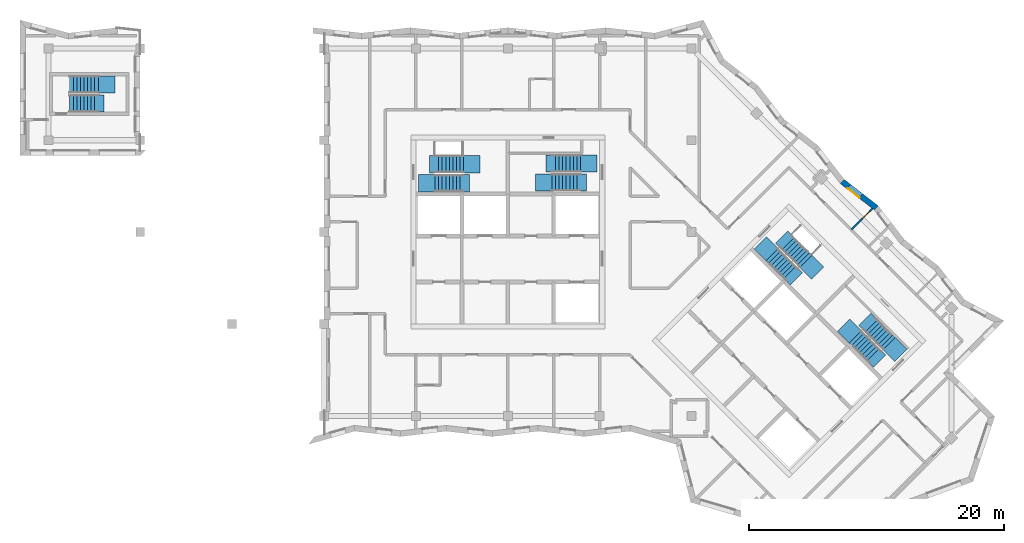
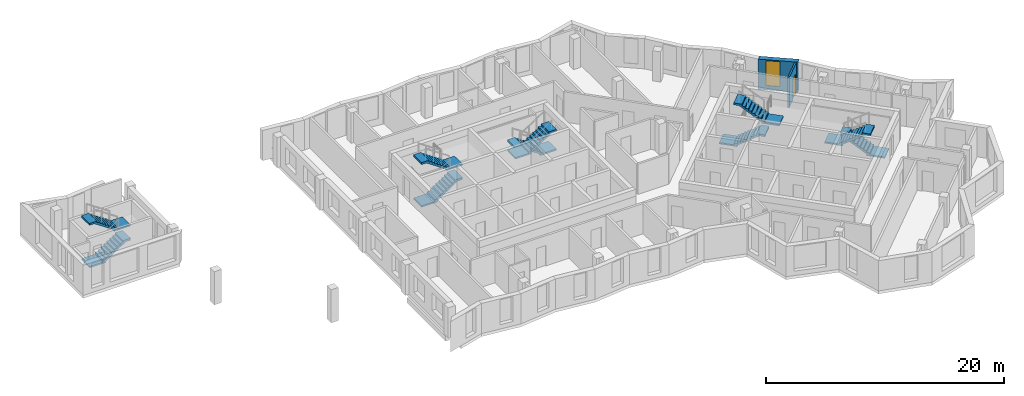
# One storey, part 8 of 12: 10 stair flights, 2 walls, 1 door, 1 window, 2 openings, 5 elements without a shape of their own.
"""IFC4 building model written with IfcOpenShell, lengths in metres."""

from ifc_helpers import new_model, si_unit, direction, frame, frame_2d, origin, place, context, subcontext, project, spatial, polyline, rectangle, outline, extrude, material, layer, layer_set, type_object, element, fill, aggregate, save


model = new_model("IFC4")

# Units and contexts
model_context = context("Model", 3, precision=1e-05, world=origin(), true_north=direction((0.0, 1.0)))
body_context = subcontext(model_context, "Body", "Model", "MODEL_VIEW")
ifc_project = project(units=[si_unit("LENGTHUNIT", "METRE"), si_unit("AREAUNIT", "SQUARE_METRE"), si_unit("VOLUMEUNIT", "CUBIC_METRE"), si_unit("PLANEANGLEUNIT", "RADIAN"), si_unit("MASSUNIT", "GRAM", prefix="KILO")], contexts=[model_context])

# Site, building, storey
site_placement = place(None, origin())
site = spatial("IfcSite", under=ifc_project, at=site_placement, CompositionType="ELEMENT")
building_placement = place(site_placement, origin())
building = spatial("IfcBuilding", under=site, at=building_placement, Name="Windrow Commons", CompositionType="ELEMENT")
storey_placement = place(building_placement, frame((0.0, 0.0, 257.4)))
storey = spatial("IfcBuildingStorey", under=building, at=storey_placement, Name="L70", CompositionType="ELEMENT", Elevation=257.4)

# Wall, opening, window
ifc_material_1 = material(Name="Brick masonry, red clay brick", Category="masonry")
ifc_layer_1 = layer(ifc_material_1, 0.45)
ifc_layer_set_1 = layer_set([ifc_layer_1], Name="Brick facade wall 450")
wall_type_1 = type_object("IfcWallType", Name="Brick facade wall 450", PredefinedType="SOLIDWALL", material=ifc_layer_set_1)
wall_1_placement = place(storey_placement, frame((93.6718, 59.4999, 0.0), z_axis=(0.0, 0.0, 1.0), x_axis=(-0.790158, 0.612903202, 0.0)))
wall_1 = element("IfcWall", 1, at=wall_1_placement, inside=storey, type_object=wall_type_1, Name="Brick facade wall L70 11", PredefinedType="SOLIDWALL", context=body_context, shape_type="SweptSolid", body=[
    extrude(outline(polyline([(-0.0284, -0.225), (3.3301, -0.225), (3.3869, 0.225), (0.0284, 0.225), (-0.0284, -0.225)])), origin(), (0.0, 0.0, 1.0), 3.1),
])
opening_1_placement = place(wall_1_placement, frame((1.5195, 0.0, 0.45)))
opening_1 = element("IfcOpeningElement", 2, at=opening_1_placement, cuts=wall_1, Name="Opening W7F", PredefinedType="OPENING", context=body_context, shape_type="SweptSolid", body=[
    extrude(rectangle(XDim=1.2, YDim=2.55, at=frame_2d((0.6, 1.275))), frame((0.0, 0.235, 0.0), z_axis=(0.0, -1.0, 0.0), x_axis=(1.0, 0.0, 0.0)), (0.0, 0.0, 1.0), 0.47),
])
ifc_material_2 = material(Name="Clear float glass in anodised aluminium frame", Category="aluminium")
window_type = type_object("IfcWindowType", Name="Window W7 notch 1200x2550", PartitioningType="SINGLE_PANEL", PredefinedType="WINDOW", material=ifc_material_2)
window_placement = place(opening_1_placement, origin())
window = element("IfcWindow", 3, at=window_placement, inside=storey, type_object=window_type, Name="Window L70 11.1", OverallHeight=2.55, OverallWidth=1.2, PartitioningType="SINGLE_PANEL", PredefinedType="WINDOW", context=body_context, shape_type="SweptSolid", body=[
    extrude(rectangle(XDim=1.2, YDim=2.55, at=frame_2d((0.6, 1.275))), frame((0.0, 0.205, 0.0), z_axis=(0.0, -1.0, 0.0), x_axis=(1.0, 0.0, 0.0)), (0.0, 0.0, 1.0), 0.06),
])
fill(opening_1, window)

# Wall, opening, door
ifc_material_3 = material(Name="Blockwork partition", Category="masonry")
ifc_layer_2 = layer(ifc_material_3, 0.15)
ifc_layer_set_2 = layer_set([ifc_layer_2], Name="IW-ENSUITE-150")
wall_type_2 = type_object("IfcWallType", Name="IW-ENSUITE-150", PredefinedType="PARTITIONING", material=ifc_layer_set_2)
wall_2_placement = place(storey_placement, frame((91.7155, 57.7885, 0.0), z_axis=(0.0, 0.0, 1.0), x_axis=(0.7071067812, 0.7071067812, 0.0)))
wall_2 = element("IfcWall", 4, at=wall_2_placement, inside=storey, type_object=wall_type_2, Name="W-L70-W055", PredefinedType="PARTITIONING", context=body_context, shape_type="SweptSolid", body=[
    extrude(rectangle(XDim=2.3448, YDim=0.15, at=frame_2d((1.1724, 0.0))), origin(), (0.0, 0.0, 1.0), 3.1),
])
opening_2_placement = place(wall_2_placement, frame((1.2295, 0.0, 0.0)))
opening_2 = element("IfcOpeningElement", 5, at=opening_2_placement, cuts=wall_2, Name="Opening D208N", PredefinedType="OPENING", context=body_context, shape_type="SweptSolid", body=[
    extrude(rectangle(XDim=0.8, YDim=2.1, at=frame_2d((0.4, 1.05))), frame((0.0, 0.085, 0.0), z_axis=(0.0, -1.0, 0.0), x_axis=(1.0, 0.0, 0.0)), (0.0, 0.0, 1.0), 0.17),
])
ifc_material_4 = material(Name="Timber door leaf", Category="wood")
door_type = type_object("IfcDoorType", Name="DT-ENSUITE-800", OperationType="SINGLE_SWING_LEFT", PredefinedType="DOOR", material=ifc_material_4)
door_placement = place(opening_2_placement, origin())
door = element("IfcDoor", 6, at=door_placement, inside=storey, type_object=door_type, Name="D-L70-D022", OperationType="SINGLE_SWING_RIGHT", OverallHeight=2.1, OverallWidth=0.8, PredefinedType="DOOR", context=body_context, shape_type="SweptSolid", body=[
    extrude(rectangle(XDim=0.8, YDim=2.1, at=frame_2d((0.4, 1.05))), frame((0.0, 0.025, 0.0), z_axis=(0.0, -1.0, 0.0), x_axis=(1.0, 0.0, 0.0)), (0.0, 0.0, 1.0), 0.05),
])
fill(opening_2, door)

# Stair, stair flights
ifc_material_5 = material(Name="Concrete C40/50", Category="concrete")
stair_type = type_object("IfcStairType", Name="Core stair", PredefinedType="HALF_TURN_STAIR", material=ifc_material_5)
placement = place(storey_placement, origin())
stair_1 = element("IfcStair", 7, at=placement, inside=storey, type_object=stair_type, Name="L70 Exit stair A1 core A", PredefinedType="HALF_TURN_STAIR")
ifc_material_6 = material(Name="Concrete C40/50", Category="concrete")
stair_flight_type = type_object("IfcStairFlightType", Name="Core stair flight", PredefinedType="STRAIGHT", material=ifc_material_6)
stair_flight_1_placement = place(storey_placement, frame((59.1, 61.425, 0.0), z_axis=(0.0, 0.0, 1.0), x_axis=(1.0, 0.0, 0.0)))
stair_flight_1 = element("IfcStairFlight", 8, at=stair_flight_1_placement, type_object=stair_flight_type, Name="ST-A1 flight 1", NumberOfRisers=9, NumberOfTreads=8, PredefinedType="STRAIGHT", RiserHeight=0.188888889, TreadLength=0.28, context=body_context, shape_type="SweptSolid", body=[
    extrude(outline(polyline([(-1.3, -0.15), (-1.3, 0.0), (0.0, 0.0), (0.0, 0.1889), (0.28, 0.1889), (0.28, 0.3778), (0.56, 0.3778), (0.56, 0.5667), (0.84, 0.5667), (0.84, 0.7556), (1.12, 0.7556), (1.12, 0.9444), (1.4, 0.9444), (1.4, 1.1333), (1.68, 1.1333), (1.68, 1.3222), (1.96, 1.3222), (1.96, 1.5111), (2.24, 1.5111), (2.69, 1.5111), (2.69, 1.3111), (2.24, 1.3111), (2.24, 1.3302), (0.2682, 0.0), (0.2682, -0.15), (-1.3, -0.15)])), frame((0.0, 0.675, 0.0), z_axis=(0.0, -1.0, 0.0), x_axis=(1.0, 0.0, 0.0)), (0.0, 0.0, 1.0), 1.35),
])
stair_flight_2_placement = place(storey_placement, frame((61.34, 62.925, 1.7), z_axis=(0.0, 0.0, 1.0), x_axis=(-1.0, 0.0, 0.0)))
stair_flight_2 = element("IfcStairFlight", 9, at=stair_flight_2_placement, type_object=stair_flight_type, Name="ST-A1 flight 2", NumberOfRisers=9, NumberOfTreads=8, PredefinedType="STRAIGHT", RiserHeight=0.188888889, TreadLength=0.28, context=body_context, shape_type="SweptSolid", body=[
    extrude(outline(polyline([(-1.3, -0.15), (-1.3, 0.0), (0.0, 0.0), (0.0, 0.1889), (0.28, 0.1889), (0.28, 0.3778), (0.56, 0.3778), (0.56, 0.5667), (0.84, 0.5667), (0.84, 0.7556), (1.12, 0.7556), (1.12, 0.9444), (1.4, 0.9444), (1.4, 1.1333), (1.68, 1.1333), (1.68, 1.3222), (1.96, 1.3222), (1.96, 1.5111), (2.24, 1.5111), (2.69, 1.5111), (2.69, 1.3111), (2.24, 1.3111), (2.24, 1.3302), (0.2682, 0.0), (0.2682, -0.15), (-1.3, -0.15)])), frame((0.0, 0.675, 0.0), z_axis=(0.0, -1.0, 0.0), x_axis=(1.0, 0.0, 0.0)), (0.0, 0.0, 1.0), 1.35),
])
aggregate(stair_1, [stair_flight_1, stair_flight_2])

stair_2 = element("IfcStair", 10, at=placement, inside=storey, type_object=stair_type, Name="L70 Exit stair A2 core A", PredefinedType="HALF_TURN_STAIR")
stair_flight_3_placement = place(storey_placement, frame((70.5, 62.98, 0.0), z_axis=(0.0, 0.0, 1.0), x_axis=(-1.0, 0.0, 0.0)))
stair_flight_3 = element("IfcStairFlight", 11, at=stair_flight_3_placement, type_object=stair_flight_type, Name="ST-A2 flight 1", NumberOfRisers=9, NumberOfTreads=8, PredefinedType="STRAIGHT", RiserHeight=0.188888889, TreadLength=0.28, context=body_context, shape_type="SweptSolid", body=[
    extrude(outline(polyline([(-1.3, -0.15), (-1.3, 0.0), (0.0, 0.0), (0.0, 0.1889), (0.28, 0.1889), (0.28, 0.3778), (0.56, 0.3778), (0.56, 0.5667), (0.84, 0.5667), (0.84, 0.7556), (1.12, 0.7556), (1.12, 0.9444), (1.4, 0.9444), (1.4, 1.1333), (1.68, 1.1333), (1.68, 1.3222), (1.96, 1.3222), (1.96, 1.5111), (2.24, 1.5111), (2.69, 1.5111), (2.69, 1.3111), (2.24, 1.3111), (2.24, 1.3302), (0.2682, 0.0), (0.2682, -0.15), (-1.3, -0.15)])), frame((0.0, 0.675, 0.0), z_axis=(0.0, -1.0, 0.0), x_axis=(1.0, 0.0, 0.0)), (0.0, 0.0, 1.0), 1.35),
])
stair_flight_4_placement = place(storey_placement, frame((68.26, 61.48, 1.7), z_axis=(0.0, 0.0, 1.0), x_axis=(1.0, 0.0, 0.0)))
stair_flight_4 = element("IfcStairFlight", 12, at=stair_flight_4_placement, type_object=stair_flight_type, Name="ST-A2 flight 2", NumberOfRisers=9, NumberOfTreads=8, PredefinedType="STRAIGHT", RiserHeight=0.188888889, TreadLength=0.28, context=body_context, shape_type="SweptSolid", body=[
    extrude(outline(polyline([(-1.3, -0.15), (-1.3, 0.0), (0.0, 0.0), (0.0, 0.1889), (0.28, 0.1889), (0.28, 0.3778), (0.56, 0.3778), (0.56, 0.5667), (0.84, 0.5667), (0.84, 0.7556), (1.12, 0.7556), (1.12, 0.9444), (1.4, 0.9444), (1.4, 1.1333), (1.68, 1.1333), (1.68, 1.3222), (1.96, 1.3222), (1.96, 1.5111), (2.24, 1.5111), (2.69, 1.5111), (2.69, 1.3111), (2.24, 1.3111), (2.24, 1.3302), (0.2682, 0.0), (0.2682, -0.15), (-1.3, -0.15)])), frame((0.0, 0.675, 0.0), z_axis=(0.0, -1.0, 0.0), x_axis=(1.0, 0.0, 0.0)), (0.0, 0.0, 1.0), 1.35),
])
aggregate(stair_2, [stair_flight_3, stair_flight_4])

stair_3 = element("IfcStair", 13, at=placement, inside=storey, type_object=stair_type, Name="L70 Exit stair B1 core B", PredefinedType="HALF_TURN_STAIR")
stair_flight_5_placement = place(storey_placement, frame((85.5109, 55.8249, 0.0), z_axis=(0.0, 0.0, 1.0), x_axis=(0.7071067812, -0.7071067812, 0.0)))
stair_flight_5 = element("IfcStairFlight", 14, at=stair_flight_5_placement, type_object=stair_flight_type, Name="ST-B1 flight 1", NumberOfRisers=9, NumberOfTreads=8, PredefinedType="STRAIGHT", RiserHeight=0.188888889, TreadLength=0.28, context=body_context, shape_type="SweptSolid", body=[
    extrude(outline(polyline([(-1.3, -0.15), (-1.3, 0.0), (0.0, 0.0), (0.0, 0.1889), (0.28, 0.1889), (0.28, 0.3778), (0.56, 0.3778), (0.56, 0.5667), (0.84, 0.5667), (0.84, 0.7556), (1.12, 0.7556), (1.12, 0.9444), (1.4, 0.9444), (1.4, 1.1333), (1.68, 1.1333), (1.68, 1.3222), (1.96, 1.3222), (1.96, 1.5111), (2.24, 1.5111), (2.69, 1.5111), (2.69, 1.3111), (2.24, 1.3111), (2.24, 1.3302), (0.2682, 0.0), (0.2682, -0.15), (-1.3, -0.15)])), frame((0.0, 0.675, 0.0), z_axis=(0.0, -1.0, 0.0), x_axis=(1.0, 0.0, 0.0)), (0.0, 0.0, 1.0), 1.35),
])
stair_flight_6_placement = place(storey_placement, frame((88.1555, 55.3017, 1.7), z_axis=(0.0, 0.0, 1.0), x_axis=(-0.7071067812, 0.7071067812, 0.0)))
stair_flight_6 = element("IfcStairFlight", 15, at=stair_flight_6_placement, type_object=stair_flight_type, Name="ST-B1 flight 2", NumberOfRisers=9, NumberOfTreads=8, PredefinedType="STRAIGHT", RiserHeight=0.188888889, TreadLength=0.28, context=body_context, shape_type="SweptSolid", body=[
    extrude(outline(polyline([(-1.3, -0.15), (-1.3, 0.0), (0.0, 0.0), (0.0, 0.1889), (0.28, 0.1889), (0.28, 0.3778), (0.56, 0.3778), (0.56, 0.5667), (0.84, 0.5667), (0.84, 0.7556), (1.12, 0.7556), (1.12, 0.9444), (1.4, 0.9444), (1.4, 1.1333), (1.68, 1.1333), (1.68, 1.3222), (1.96, 1.3222), (1.96, 1.5111), (2.24, 1.5111), (2.69, 1.5111), (2.69, 1.3111), (2.24, 1.3111), (2.24, 1.3302), (0.2682, 0.0), (0.2682, -0.15), (-1.3, -0.15)])), frame((0.0, 0.675, 0.0), z_axis=(0.0, -1.0, 0.0), x_axis=(1.0, 0.0, 0.0)), (0.0, 0.0, 1.0), 1.35),
])
aggregate(stair_3, [stair_flight_5, stair_flight_6])

stair_4 = element("IfcStair", 16, at=placement, inside=storey, type_object=stair_type, Name="L70 Exit stair B2 core B", PredefinedType="HALF_TURN_STAIR")
stair_flight_7_placement = place(storey_placement, frame((94.6715, 48.8635, 0.0), z_axis=(0.0, 0.0, 1.0), x_axis=(-0.7071067812, 0.7071067812, 0.0)))
stair_flight_7 = element("IfcStairFlight", 17, at=stair_flight_7_placement, type_object=stair_flight_type, Name="ST-B2 flight 1", NumberOfRisers=9, NumberOfTreads=8, PredefinedType="STRAIGHT", RiserHeight=0.188888889, TreadLength=0.28, context=body_context, shape_type="SweptSolid", body=[
    extrude(outline(polyline([(-1.3, -0.15), (-1.3, 0.0), (0.0, 0.0), (0.0, 0.1889), (0.28, 0.1889), (0.28, 0.3778), (0.56, 0.3778), (0.56, 0.5667), (0.84, 0.5667), (0.84, 0.7556), (1.12, 0.7556), (1.12, 0.9444), (1.4, 0.9444), (1.4, 1.1333), (1.68, 1.1333), (1.68, 1.3222), (1.96, 1.3222), (1.96, 1.5111), (2.24, 1.5111), (2.69, 1.5111), (2.69, 1.3111), (2.24, 1.3111), (2.24, 1.3302), (0.2682, 0.0), (0.2682, -0.15), (-1.3, -0.15)])), frame((0.0, 0.675, 0.0), z_axis=(0.0, -1.0, 0.0), x_axis=(1.0, 0.0, 0.0)), (0.0, 0.0, 1.0), 1.35),
])
stair_flight_8_placement = place(storey_placement, frame((92.0269, 49.3867, 1.7), z_axis=(0.0, 0.0, 1.0), x_axis=(0.7071067812, -0.7071067812, 0.0)))
stair_flight_8 = element("IfcStairFlight", 18, at=stair_flight_8_placement, type_object=stair_flight_type, Name="ST-B2 flight 2", NumberOfRisers=9, NumberOfTreads=8, PredefinedType="STRAIGHT", RiserHeight=0.188888889, TreadLength=0.28, context=body_context, shape_type="SweptSolid", body=[
    extrude(outline(polyline([(-1.3, -0.15), (-1.3, 0.0), (0.0, 0.0), (0.0, 0.1889), (0.28, 0.1889), (0.28, 0.3778), (0.56, 0.3778), (0.56, 0.5667), (0.84, 0.5667), (0.84, 0.7556), (1.12, 0.7556), (1.12, 0.9444), (1.4, 0.9444), (1.4, 1.1333), (1.68, 1.1333), (1.68, 1.3222), (1.96, 1.3222), (1.96, 1.5111), (2.24, 1.5111), (2.69, 1.5111), (2.69, 1.3111), (2.24, 1.3111), (2.24, 1.3302), (0.2682, 0.0), (0.2682, -0.15), (-1.3, -0.15)])), frame((0.0, 0.675, 0.0), z_axis=(0.0, -1.0, 0.0), x_axis=(1.0, 0.0, 0.0)), (0.0, 0.0, 1.0), 1.35),
])
aggregate(stair_4, [stair_flight_7, stair_flight_8])

stair_5 = element("IfcStair", 19, at=placement, inside=storey, type_object=stair_type, Name="L70 Exit stair W", PredefinedType="HALF_TURN_STAIR")
stair_flight_9_placement = place(storey_placement, frame((30.475, 67.675, 0.0), z_axis=(0.0, 0.0, 1.0), x_axis=(1.0, 0.0, 0.0)))
stair_flight_9 = element("IfcStairFlight", 20, at=stair_flight_9_placement, type_object=stair_flight_type, Name="ST-W flight 1", NumberOfRisers=9, NumberOfTreads=8, PredefinedType="STRAIGHT", RiserHeight=0.188888889, TreadLength=0.28, context=body_context, shape_type="SweptSolid", body=[
    extrude(outline(polyline([(-1.3, -0.15), (-1.3, 0.0), (0.0, 0.0), (0.0, 0.1889), (0.28, 0.1889), (0.28, 0.3778), (0.56, 0.3778), (0.56, 0.5667), (0.84, 0.5667), (0.84, 0.7556), (1.12, 0.7556), (1.12, 0.9444), (1.4, 0.9444), (1.4, 1.1333), (1.68, 1.1333), (1.68, 1.3222), (1.96, 1.3222), (1.96, 1.5111), (2.24, 1.5111), (2.69, 1.5111), (2.69, 1.3111), (2.24, 1.3111), (2.24, 1.3302), (0.2682, 0.0), (0.2682, -0.15), (-1.3, -0.15)])), frame((0.0, 0.675, 0.0), z_axis=(0.0, -1.0, 0.0), x_axis=(1.0, 0.0, 0.0)), (0.0, 0.0, 1.0), 1.35),
])
stair_flight_10_placement = place(storey_placement, frame((32.715, 69.175, 1.7), z_axis=(0.0, 0.0, 1.0), x_axis=(-1.0, 0.0, 0.0)))
stair_flight_10 = element("IfcStairFlight", 21, at=stair_flight_10_placement, type_object=stair_flight_type, Name="ST-W flight 2", NumberOfRisers=9, NumberOfTreads=8, PredefinedType="STRAIGHT", RiserHeight=0.188888889, TreadLength=0.28, context=body_context, shape_type="SweptSolid", body=[
    extrude(outline(polyline([(-1.3, -0.15), (-1.3, 0.0), (0.0, 0.0), (0.0, 0.1889), (0.28, 0.1889), (0.28, 0.3778), (0.56, 0.3778), (0.56, 0.5667), (0.84, 0.5667), (0.84, 0.7556), (1.12, 0.7556), (1.12, 0.9444), (1.4, 0.9444), (1.4, 1.1333), (1.68, 1.1333), (1.68, 1.3222), (1.96, 1.3222), (1.96, 1.5111), (2.24, 1.5111), (2.69, 1.5111), (2.69, 1.3111), (2.24, 1.3111), (2.24, 1.3302), (0.2682, 0.0), (0.2682, -0.15), (-1.3, -0.15)])), frame((0.0, 0.675, 0.0), z_axis=(0.0, -1.0, 0.0), x_axis=(1.0, 0.0, 0.0)), (0.0, 0.0, 1.0), 1.35),
])
aggregate(stair_5, [stair_flight_9, stair_flight_10])

save(model, "model.ifc")
